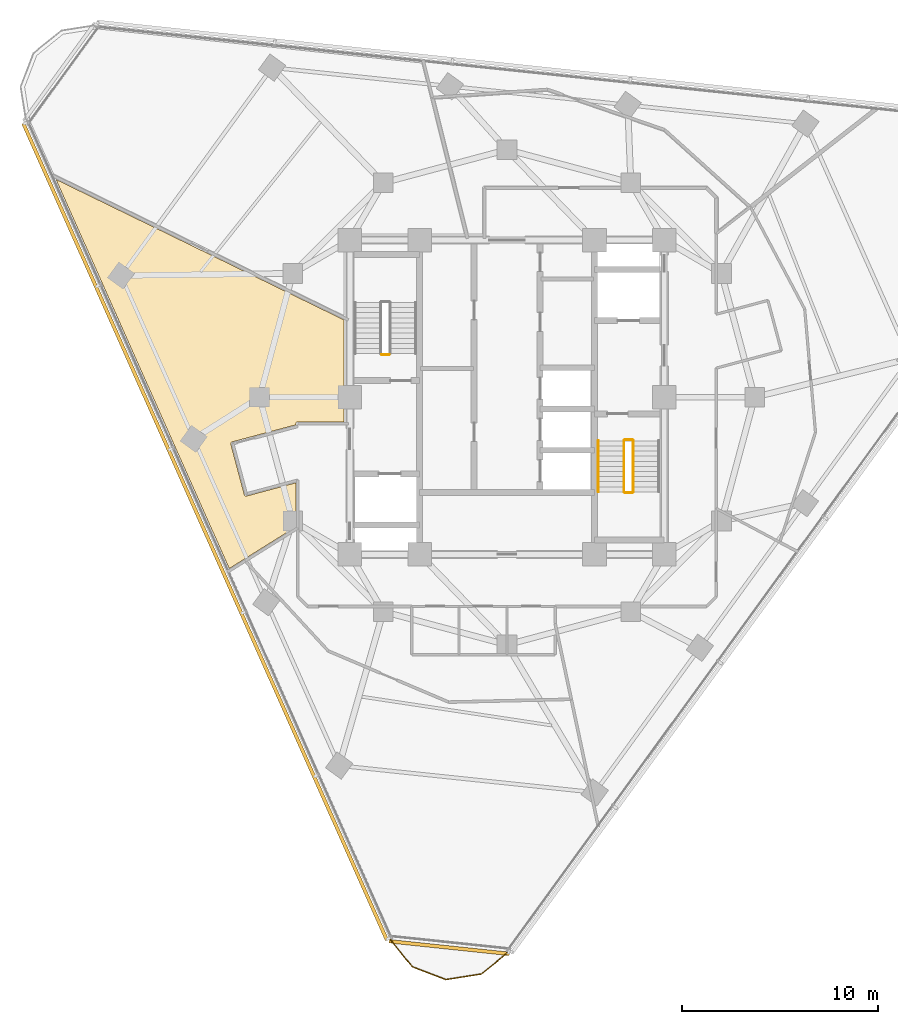
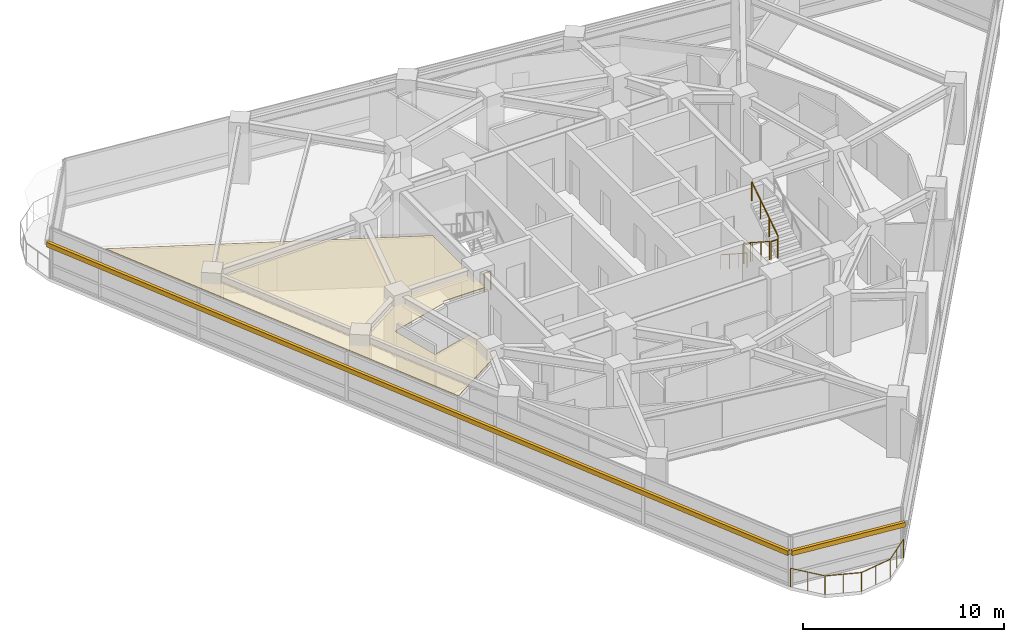
# One storey, part 12 of 14: 7 railings, 2 shading devices, 1 covering.
"""IFC4 building model written with IfcOpenShell, lengths in metres."""

from ifc_helpers import new_model, si_unit, direction, frame, origin, origin_2d, place, context, subcontext, project, spatial, polyline, rectangle, circle, outline, extrude, material, layer, layer_set, type_object, element, save


model = new_model("IFC4")

# Units and contexts
model_context = context("Model", 3, precision=1e-05, world=origin(), true_north=direction((0.0, 1.0)))
body_context = subcontext(model_context, "Body", "Model", "MODEL_VIEW")
ifc_project = project(units=[si_unit("LENGTHUNIT", "METRE"), si_unit("AREAUNIT", "SQUARE_METRE"), si_unit("VOLUMEUNIT", "CUBIC_METRE"), si_unit("PLANEANGLEUNIT", "RADIAN"), si_unit("MASSUNIT", "GRAM", prefix="KILO")], contexts=[model_context])

# Site, building, storey
site_placement = place(None, origin())
site = spatial("IfcSite", under=ifc_project, at=site_placement, CompositionType="ELEMENT")
building_placement = place(site_placement, origin())
building = spatial("IfcBuilding", under=site, at=building_placement, Name="Terralouvre Media Tower", CompositionType="ELEMENT")
storey_placement = place(building_placement, frame((0.0, 0.0, 218.89990234375)))
storey = spatial("IfcBuildingStorey", under=building, at=storey_placement, Name="L56", CompositionType="ELEMENT", Elevation=218.89990234375)

# Covering
ifc_material_1 = material(Name="Perforated aluminium acoustic ceiling baffle", Category="aluminium")
ifc_layer_1 = layer(ifc_material_1, 0.0400390625, Name="Perforated Acoustic Metal Tile Ceiling CL-AC1")
ifc_layer_set_1 = layer_set([ifc_layer_1], Name="Perforated aluminium acoustic ceiling baffle")
covering_type = type_object("IfcCoveringType", Name="Perforated Acoustic Metal Tile Ceiling CL-AC1", PredefinedType="CEILING", material=ifc_layer_set_1)
covering_placement = place(storey_placement, frame((0.0, 0.0, 2.97998046875), z_axis=(0.0, 0.0, 1.0), x_axis=(0.587785252292, 0.809016994375, 0.0)))
element("IfcCovering", 1, at=covering_placement, inside=storey, type_object=covering_type, Name="L56 Executive Dining Room 1 Acoustic Ceiling", PredefinedType="CEILING", context=body_context, shape_type="SweptSolid", body=[
    extrude(outline(polyline([(-11.657958984375, 4.81787109375), (-9.84228515625, 6.136962890625), (-11.8544921875, 7.766357421875), (-11.862060546875, 7.77294921875), (-11.86865234375, 7.7802734375), (-11.87451171875, 7.7880859375), (-11.879638671875, 7.79638671875), (-11.8837890625, 7.80517578125), (-11.88720703125, 7.814453125), (-11.8896484375, 7.823974609375), (-11.89111328125, 7.833740234375), (-11.8916015625, 7.843505859375), (-11.891357421875, 7.853271484375), (-11.889892578125, 7.863037109375), (-11.8876953125, 7.87255859375), (-11.88427734375, 7.8818359375), (-11.880126953125, 7.890625), (-11.875244140625, 7.899169921875), (-11.869384765625, 7.9072265625), (-10.200927734375, 9.966064453125), (-10.1943359375, 9.973388671875), (-10.187255859375, 9.97998046875), (-10.17919921875, 9.98583984375), (-10.1708984375, 9.990966796875), (-10.162109375, 9.9951171875), (-10.15283203125, 9.99853515625), (-10.143310546875, 10.0009765625), (-10.1337890625, 10.00244140625), (-10.123779296875, 10.003173828125), (-10.114013671875, 10.002685546875), (-10.104248046875, 10.001220703125), (-10.094970703125, 9.9990234375), (-10.08544921875, 9.99560546875), (-10.07666015625, 9.991455078125), (-10.068115234375, 9.986572265625), (-10.060302734375, 9.980712890625), (-7.45556640625, 7.870849609375), (-7.410888671875, 7.9033203125), (-7.402587890625, 7.90869140625), (-7.39404296875, 7.913330078125), (-7.384765625, 7.9169921875), (-7.37548828125, 7.919677734375), (-7.36572265625, 7.921630859375), (-7.35595703125, 7.92236328125), (-7.34619140625, 7.92236328125), (-7.33642578125, 7.92138671875), (-7.326904296875, 7.919189453125), (-7.317626953125, 7.916259765625), (-7.308349609375, 7.912353515625), (-7.2998046875, 7.90771484375), (-7.291748046875, 7.90234375), (-7.2841796875, 7.89599609375), (-7.27734375, 7.888916015625), (-7.271240234375, 7.88134765625), (-5.895751953125, 5.98828125), (-1.69580078125, 9.039794921875), (-4.525634765625, 25.0908203125), (-15.365478515625, 6.316162109375), (-14.535400390625, 5.98046875), (-11.657958984375, 4.81787109375)])), origin(), (0.0, 0.0, 1.0), 0.0400390625),
])

# Railings
ifc_material_2 = material(Name="Stainless steel 316 handrail and balustrade", Category="steel")
ifc_layer_2 = layer(ifc_material_2, 0.06005859375, Name="Roof Edge Safety Guardrail GR-ROOF1")
ifc_layer_set_2 = layer_set([ifc_layer_2], Name="Stainless steel 316 handrail and balustrade")
railing_type_1 = type_object("IfcRailingType", Name="Roof Edge Safety Guardrail GR-ROOF1", PredefinedType="GUARDRAIL", material=ifc_layer_set_2)
railing_1_placement = place(storey_placement, frame((-5.98583984375, -27.5546875, 0.0)))
element("IfcRailing", 2, at=railing_1_placement, inside=storey, type_object=railing_type_1, Name="L56 Wind-Corner Perimeter Safety Guardrail C0", PredefinedType="GUARDRAIL", context=body_context, shape_type="SweptSolid", body=[
    extrude(circle(Radius=0.02099609375, at=origin_2d()), frame((0.0, 0.0, 1.12890625), z_axis=(0.629125588714, -0.777303668861, 0.0), x_axis=(0.777303668861, 0.629125588714, 0.0)), (0.0, 0.0, 1.0), 1.837158203125),
    extrude(circle(Radius=0.02099609375, at=origin_2d()), frame((1.15576171875, -1.427978515625, 1.12890625), z_axis=(0.933530480619, -0.358498035915, 0.0), x_axis=(0.358498035915, 0.933530480619, 0.0)), (0.0, 0.0, 1.0), 1.836669921875),
    extrude(circle(Radius=0.02099609375, at=origin_2d()), frame((2.870361328125, -2.08642578125, 1.12890625), z_axis=(0.987666866591, 0.156569986387, 0.0), x_axis=(-0.156569986387, 0.987666866591, 0.0)), (0.0, 0.0, 1.0), 1.8369140625),
    extrude(circle(Radius=0.02099609375, at=origin_2d()), frame((4.6845703125, -1.798828125, 1.12890625), z_axis=(0.777015769995, 0.629481130122, 0.0), x_axis=(-0.629481130122, 0.777015769995, 0.0)), (0.0, 0.0, 1.0), 1.8369140625),
    extrude(circle(Radius=0.01904296875, at=origin_2d()), origin(), (0.0, 0.0, 1.0), 1.10791015625),
    extrude(circle(Radius=0.01904296875, at=origin_2d()), frame((0.577880859375, -0.7138671875, 0.0)), (0.0, 0.0, 1.0), 1.10791015625),
    extrude(circle(Radius=0.01904296875, at=origin_2d()), frame((1.15576171875, -1.427978515625, 0.0)), (0.0, 0.0, 1.0), 1.10791015625),
    extrude(circle(Radius=0.01904296875, at=origin_2d()), frame((2.01318359375, -1.75732421875, 0.0)), (0.0, 0.0, 1.0), 1.10791015625),
    extrude(circle(Radius=0.01904296875, at=origin_2d()), frame((2.870361328125, -2.08642578125, 0.0)), (0.0, 0.0, 1.0), 1.10791015625),
    extrude(circle(Radius=0.01904296875, at=origin_2d()), frame((3.77734375, -1.942626953125, 0.0)), (0.0, 0.0, 1.0), 1.10791015625),
    extrude(circle(Radius=0.01904296875, at=origin_2d()), frame((4.6845703125, -1.798828125, 0.0)), (0.0, 0.0, 1.0), 1.10791015625),
    extrude(circle(Radius=0.01904296875, at=origin_2d()), frame((5.398193359375, -1.220703125, 0.0)), (0.0, 0.0, 1.0), 1.10791015625),
    extrude(circle(Radius=0.01904296875, at=origin_2d()), frame((6.11181640625, -0.642578125, 0.0)), (0.0, 0.0, 1.0), 1.10791015625),
])
ifc_material_3 = material(Name="Stainless steel 316 handrail and balustrade", Category="steel")
ifc_layer_3 = layer(ifc_material_3, 0.050048828125, Name="Stair Flight Wall Handrail HR-INT1")
ifc_layer_set_3 = layer_set([ifc_layer_3], Name="Stainless steel 316 handrail and balustrade")
railing_type_2 = type_object("IfcRailingType", Name="Stair Flight Wall Handrail HR-INT1", PredefinedType="HANDRAIL", material=ifc_layer_set_3)
railing_2_placement = place(storey_placement, frame((4.64990234375, -2.219970703125, 0.168212890625)))
element("IfcRailing", 3, at=railing_2_placement, inside=storey, type_object=railing_type_2, Name="L56 ST-02 stair handrail 1", PredefinedType="HANDRAIL", context=body_context, shape_type="SweptSolid", body=[
    extrude(circle(Radius=0.02392578125, at=origin_2d()), frame((0.0, 0.0, 0.8759765625), z_axis=(0.0, -0.839648411786, 0.543130320075), x_axis=(1.0, 0.0, 0.0)), (0.0, 0.0, 1.0), 3.0966796875),
    extrude(circle(Radius=0.02099609375, at=origin_2d()), origin(), (0.0, 0.0, 1.0), 0.851806640625),
    extrude(circle(Radius=0.02099609375, at=origin_2d()), frame((0.0, -0.86669921875, 0.560546875)), (0.0, 0.0, 1.0), 0.851806640625),
    extrude(circle(Radius=0.02099609375, at=origin_2d()), frame((0.0, -1.7333984375, 1.121337890625)), (0.0, 0.0, 1.0), 0.851806640625),
    extrude(circle(Radius=0.02099609375, at=origin_2d()), frame((0.0, -2.60009765625, 1.681884765625)), (0.0, 0.0, 1.0), 0.851806640625),
])
ifc_material_4 = material(Name="Stainless steel 316 handrail and balustrade", Category="steel")
ifc_layer_4 = layer(ifc_material_4, 0.050048828125, Name="Stairwell Safety Guardrail GR-INT1")
ifc_layer_set_4 = layer_set([ifc_layer_4], Name="Stainless steel 316 handrail and balustrade")
railing_type_3 = type_object("IfcRailingType", Name="Stairwell Safety Guardrail GR-INT1", PredefinedType="GUARDRAIL", material=ifc_layer_set_4)
railing_3_placement = place(storey_placement, frame((-6.0, 2.169921875, 0.0)))
element("IfcRailing", 4, at=railing_3_placement, inside=storey, type_object=railing_type_3, Name="L56 ST-01 stair guard 4", PredefinedType="GUARDRAIL", context=body_context, shape_type="SweptSolid", body=[
    extrude(circle(Radius=0.02392578125, at=origin_2d()), frame((0.0, 0.0, 1.1259765625), z_axis=(-1.0, 0.0, 0.0), x_axis=(0.0, -1.0, 0.0)), (0.0, 0.0, 1.0), 0.3798828125),
    extrude(circle(Radius=0.02099609375, at=origin_2d()), origin(), (0.0, 0.0, 1.0), 1.101806640625),
    extrude(circle(Radius=0.02099609375, at=origin_2d()), frame((-0.3798828125, 0.0, 0.0)), (0.0, 0.0, 1.0), 1.101806640625),
])
railing_4_placement = place(storey_placement, frame((5.949951171875, -2.219970703125, 0.168212890625)))
element("IfcRailing", 5, at=railing_4_placement, inside=storey, type_object=railing_type_3, Name="L56 ST-02 stair guard 1", PredefinedType="GUARDRAIL", context=body_context, shape_type="SweptSolid", body=[
    extrude(circle(Radius=0.02392578125, at=origin_2d()), frame((0.0, 0.0, 1.1259765625), z_axis=(0.0, -0.839648411786, 0.543130320075), x_axis=(1.0, 0.0, 0.0)), (0.0, 0.0, 1.0), 3.0966796875),
    extrude(circle(Radius=0.02099609375, at=origin_2d()), origin(), (0.0, 0.0, 1.0), 1.101806640625),
    extrude(circle(Radius=0.02099609375, at=origin_2d()), frame((0.0, -0.86669921875, 0.560546875)), (0.0, 0.0, 1.0), 1.101806640625),
    extrude(circle(Radius=0.02099609375, at=origin_2d()), frame((0.0, -1.7333984375, 1.121337890625)), (0.0, 0.0, 1.0), 1.101806640625),
    extrude(circle(Radius=0.02099609375, at=origin_2d()), frame((0.0, -2.60009765625, 1.681884765625)), (0.0, 0.0, 1.0), 1.101806640625),
])
railing_5_placement = place(storey_placement, frame((6.0, -4.8701171875, 1.85009765625)))
element("IfcRailing", 6, at=railing_5_placement, inside=storey, type_object=railing_type_3, Name="L56 ST-02 stair guard 2", PredefinedType="GUARDRAIL", context=body_context, shape_type="SweptSolid", body=[
    extrude(circle(Radius=0.02392578125, at=origin_2d()), frame((0.0, 0.0, 1.1259765625), z_axis=(1.0, 0.0, 0.0), x_axis=(0.0, 1.0, 0.0)), (0.0, 0.0, 1.0), 0.3798828125),
    extrude(circle(Radius=0.02099609375, at=origin_2d()), origin(), (0.0, 0.0, 1.0), 1.101806640625),
    extrude(circle(Radius=0.02099609375, at=origin_2d()), frame((0.3798828125, 0.0, 0.0)), (0.0, 0.0, 1.0), 1.101806640625),
])
railing_6_placement = place(storey_placement, frame((6.429931640625, -4.820068359375, 2.018310546875)))
element("IfcRailing", 7, at=railing_6_placement, inside=storey, type_object=railing_type_3, Name="L56 ST-02 stair guard 3", PredefinedType="GUARDRAIL", context=body_context, shape_type="SweptSolid", body=[
    extrude(circle(Radius=0.02392578125, at=origin_2d()), frame((0.0, 0.0, 1.1259765625), z_axis=(0.0, 0.839648411786, 0.543130320075), x_axis=(-1.0, 0.0, 0.0)), (0.0, 0.0, 1.0), 3.0966796875),
    extrude(circle(Radius=0.02099609375, at=origin_2d()), origin(), (0.0, 0.0, 1.0), 1.101806640625),
    extrude(circle(Radius=0.02099609375, at=origin_2d()), frame((0.0, 0.86669921875, 0.560546875)), (0.0, 0.0, 1.0), 1.101806640625),
    extrude(circle(Radius=0.02099609375, at=origin_2d()), frame((0.0, 1.7333984375, 1.121337890625)), (0.0, 0.0, 1.0), 1.101806640625),
    extrude(circle(Radius=0.02099609375, at=origin_2d()), frame((0.0, 2.60009765625, 1.681884765625)), (0.0, 0.0, 1.0), 1.101806640625),
])
railing_7_placement = place(storey_placement, frame((6.0, -2.169921875, 0.0)))
element("IfcRailing", 8, at=railing_7_placement, inside=storey, type_object=railing_type_3, Name="L56 ST-02 stair guard 4", PredefinedType="GUARDRAIL", context=body_context, shape_type="SweptSolid", body=[
    extrude(circle(Radius=0.02392578125, at=origin_2d()), frame((0.0, 0.0, 1.1259765625), z_axis=(1.0, 0.0, 0.0), x_axis=(0.0, 1.0, 0.0)), (0.0, 0.0, 1.0), 0.3798828125),
    extrude(circle(Radius=0.02099609375, at=origin_2d()), origin(), (0.0, 0.0, 1.0), 1.101806640625),
    extrude(circle(Radius=0.02099609375, at=origin_2d()), frame((0.3798828125, 0.0, 0.0)), (0.0, 0.0, 1.0), 1.101806640625),
])

# Shading devices
ifc_material_5 = material(Name="Extruded terracotta baguette sunshade louvres", Category="masonry")
shading_device_type = type_object("IfcShadingDeviceType", Name="Terracotta Baguette Sunshade Louvre Screen TB-LV1", PredefinedType="USERDEFINED", material=ifc_material_5)
shading_device_1_placement = place(storey_placement, frame((-15.3701171875, -6.84326171875, 2.02392578125), z_axis=(0.0, 0.0, 1.0), x_axis=(0.406736679636, -0.913545441365, 0.0)))
element("IfcShadingDevice", 9, at=shading_device_1_placement, inside=storey, type_object=shading_device_type, Name="CW-L56-F2 Terracotta Baguette Sunshade Louvre", ObjectType="BAGUETTE", PredefinedType="USERDEFINED", context=body_context, shape_type="SweptSolid", body=[
    extrude(rectangle(XDim=45.5, YDim=0.179931640625, at=origin_2d()), origin(), (0.0, 0.0, 1.0), 0.280029296875),
])
shading_device_2_placement = place(storey_placement, frame((-2.944091796875, -28.01025390625, 2.02392578125), z_axis=(0.0, 0.0, 1.0), x_axis=(0.994521944551, -0.104527995322, 0.0)))
element("IfcShadingDevice", 10, at=shading_device_2_placement, inside=storey, type_object=shading_device_type, Name="CW-L56-C0 Terracotta Baguette Sunshade Louvre", ObjectType="BAGUETTE", PredefinedType="USERDEFINED", context=body_context, shape_type="SweptSolid", body=[
    extrude(rectangle(XDim=6.148681640625, YDim=0.179931640625, at=origin_2d()), origin(), (0.0, 0.0, 1.0), 0.280029296875),
])

save(model, "model.ifc")
